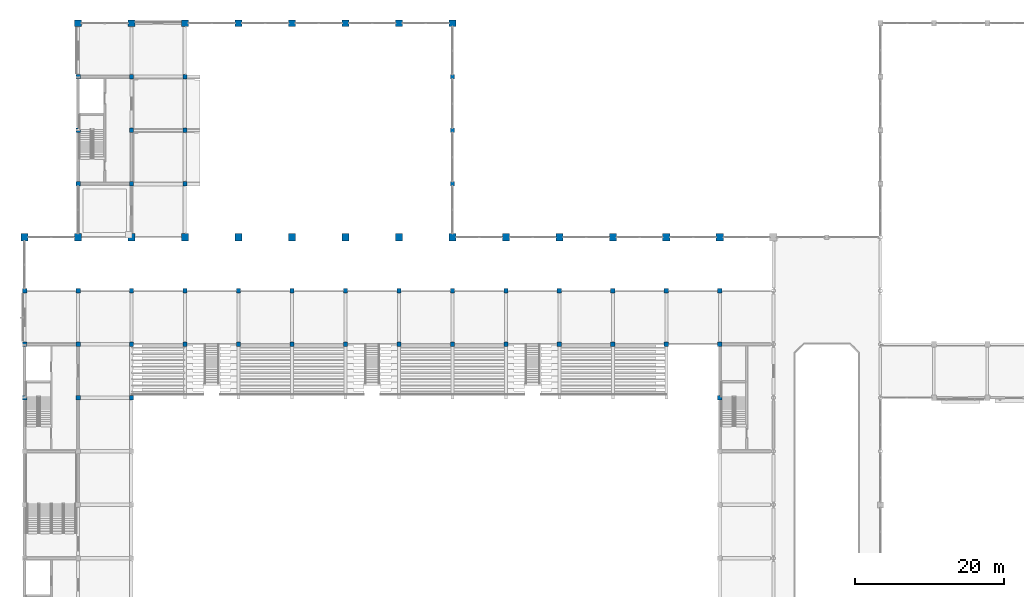
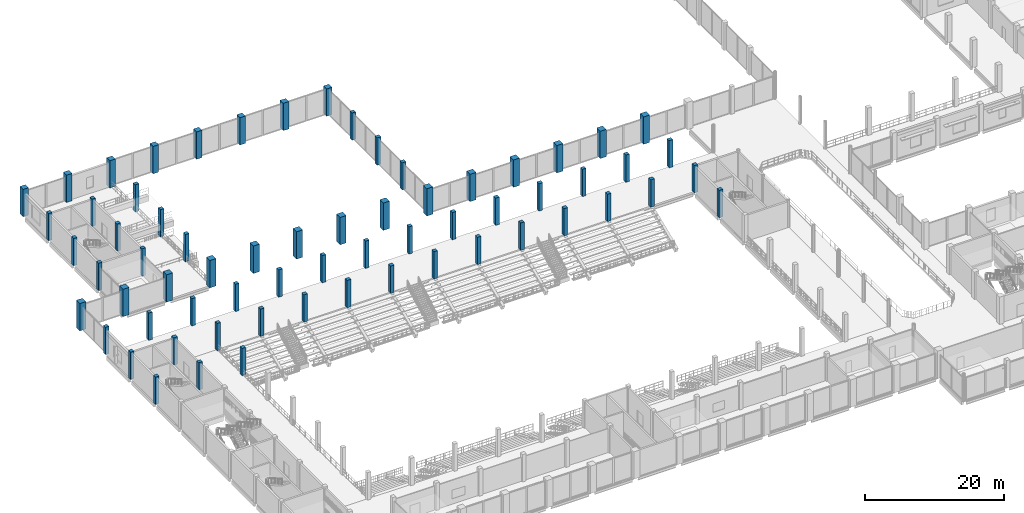
# One storey, part 3 of 99: 66 columns.
"""IFC4 building model written with IfcOpenShell, lengths in metres."""

from ifc_helpers import new_model, si_unit, direction, frame, origin, origin_2d, place, context, subcontext, project, spatial, rectangle, extrude, material, material_profile, profile_set, type_object, element, save


model = new_model("IFC4")

# Units and contexts
model_context = context("Model", 3, precision=1e-05, world=origin(), true_north=direction((0.0, 1.0)))
body_context = subcontext(model_context, "Body", "Model", "MODEL_VIEW")
ifc_project = project(units=[si_unit("LENGTHUNIT", "METRE"), si_unit("AREAUNIT", "SQUARE_METRE"), si_unit("VOLUMEUNIT", "CUBIC_METRE"), si_unit("PLANEANGLEUNIT", "RADIAN"), si_unit("MASSUNIT", "GRAM", prefix="KILO")], contexts=[model_context])

# Site, building, storey
site_placement = place(None, origin())
site = spatial("IfcSite", under=ifc_project, at=site_placement, CompositionType="ELEMENT")
building_placement = place(site_placement, origin())
building = spatial("IfcBuilding", under=site, at=building_placement, Name="Vesperath Aquatics Centre", CompositionType="ELEMENT")
storey_placement = place(building_placement, frame((0.0, 0.0, 5.39990234375)))
storey = spatial("IfcBuildingStorey", under=building, at=storey_placement, Name="L01", CompositionType="ELEMENT", Elevation=5.39990234375)

# Columns
ifc_material = material(Name="Concrete C40", Category="concrete")
ifc_material_profile_1 = material_profile(ifc_material, rectangle(XDim=1.0, YDim=1.0, at=origin_2d()), Name="RC 1000x1000")
ifc_profile_set_1 = profile_set([ifc_material_profile_1], Name="Concrete C40")
column_type_1 = type_object("IfcColumnType", Name="CL-C02", PredefinedType="COLUMN", material=ifc_profile_set_1)
for number, where, z_axis, x_axis, name in (
    (1, (0.0, 86.39990234375, 0.0), (0.0, 0.0, 1.0), (1.0, 0.0, 0.0), "Column C02 L01 1/N"),
    (2, (7.199951171875, 86.39990234375, 0.0), (0.0, 0.0, 1.0), (1.0, 0.0, 0.0), "Column C02 L01 2/N"),
    (3, (14.39990234375, 86.39990234375, 0.0), (0.0, 0.0, 1.0), (1.0, 0.0, 0.0), "Column C02 L01 3/N"),
    (4, (21.60009765625, 86.39990234375, 0.0), (0.0, 0.0, 1.0), (1.0, 0.0, 0.0), "Column C02 L01 4/N"),
    (5, (28.800048828125, 86.39990234375, 0.0), (0.0, 0.0, 1.0), (1.0, 0.0, 0.0), "Column C02 L01 5/N"),
    (6, (36.0, 86.39990234375, 0.0), (0.0, 0.0, 1.0), (1.0, 0.0, 0.0), "Column C02 L01 6/N"),
    (7, (43.199951171875, 86.39990234375, 0.0), (0.0, 0.0, 1.0), (1.0, 0.0, 0.0), "Column C02 L01 7/N"),
    (8, (50.39990234375, 86.39990234375, 0.0), (0.0, 0.0, 1.0), (1.0, 0.0, 0.0), "Column C02 L01 8/N"),
    (9, (57.60009765625, 86.39990234375, 0.0), (0.0, 0.0, 1.0), (1.0, 0.0, 0.0), "Column C02 L01 9/N"),
    (10, (64.800048828125, 86.39990234375, 0.0), (0.0, 0.0, 1.0), (1.0, 0.0, 0.0), "Column C02 L01 10/N"),
    (11, (72.0, 86.39990234375, 0.0), (0.0, 0.0, 1.0), (1.0, 0.0, 0.0), "Column C02 L01 11/N"),
    (12, (79.199951171875, 86.39990234375, 0.0), (0.0, 0.0, 1.0), (1.0, 0.0, 0.0), "Column C02 L01 12/N"),
    (13, (86.39990234375, 86.39990234375, 0.0), (0.0, 0.0, 1.0), (1.0, 0.0, 0.0), "Column C02 L01 13/N"),
    (14, (93.60009765625, 86.39990234375, 0.0), (0.0, 0.0, 1.0), (1.0, 0.0, 0.0), "Column C02 L01 14/N"),
):
    element("IfcColumn", number, at=place(storey_placement, frame(where, z_axis=z_axis, x_axis=x_axis)), inside=storey, type_object=column_type_1, Name=name, PredefinedType="COLUMN", context=body_context, shape_type="SweptSolid", body=[
        extrude(rectangle(XDim=1.0, YDim=1.0, at=origin_2d()), origin(), (0.0, 0.0, 1.0), 4.800048828125),
    ])
ifc_material_profile_2 = material_profile(ifc_material, rectangle(XDim=0.89990234375, YDim=0.89990234375, at=origin_2d()), Name="RC 900x900")
ifc_profile_set_2 = profile_set([ifc_material_profile_2], Name="Concrete C40")
column_type_2 = type_object("IfcColumnType", Name="CL-C03", PredefinedType="COLUMN", material=ifc_profile_set_2)
for number, where, z_axis, x_axis, name in (
    (15, (7.199951171875, 115.199951171875, 0.0), (0.0, 0.0, 1.0), (1.0, 0.0, 0.0), "Column C03 L01 2/S"),
    (16, (14.39990234375, 115.199951171875, 0.0), (0.0, 0.0, 1.0), (1.0, 0.0, 0.0), "Column C03 L01 3/S"),
    (17, (21.60009765625, 115.199951171875, 0.0), (0.0, 0.0, 1.0), (1.0, 0.0, 0.0), "Column C03 L01 4/S"),
    (18, (28.800048828125, 115.199951171875, 0.0), (0.0, 0.0, 1.0), (1.0, 0.0, 0.0), "Column C03 L01 5/S"),
    (19, (36.0, 115.199951171875, 0.0), (0.0, 0.0, 1.0), (1.0, 0.0, 0.0), "Column C03 L01 6/S"),
    (20, (43.199951171875, 115.199951171875, 0.0), (0.0, 0.0, 1.0), (1.0, 0.0, 0.0), "Column C03 L01 7/S"),
    (21, (50.39990234375, 115.199951171875, 0.0), (0.0, 0.0, 1.0), (1.0, 0.0, 0.0), "Column C03 L01 8/S"),
    (22, (57.60009765625, 115.199951171875, 0.0), (0.0, 0.0, 1.0), (1.0, 0.0, 0.0), "Column C03 L01 9/S"),
):
    element("IfcColumn", number, at=place(storey_placement, frame(where, z_axis=z_axis, x_axis=x_axis)), inside=storey, type_object=column_type_2, Name=name, PredefinedType="COLUMN", context=body_context, shape_type="SweptSolid", body=[
        extrude(rectangle(XDim=0.89990234375, YDim=0.89990234375, at=origin_2d()), origin(), (0.0, 0.0, 1.0), 4.800048828125),
    ])
ifc_material_profile_3 = material_profile(ifc_material, rectangle(XDim=0.60009765625, YDim=0.60009765625, at=origin_2d()), Name="RC 600x600")
ifc_profile_set_3 = profile_set([ifc_material_profile_3], Name="Concrete C40")
column_type_3 = type_object("IfcColumnType", Name="CL-C06", PredefinedType="COLUMN", material=ifc_profile_set_3)
for number, where, z_axis, x_axis, name in (
    (23, (0.0, 64.800048828125, 0.0), (0.0, 0.0, 1.0), (1.0, 0.0, 0.0), "Column C06 L01 1/K"),
    (24, (0.0, 72.0, 0.0), (0.0, 0.0, 1.0), (1.0, 0.0, 0.0), "Column C06 L01 1/L"),
    (25, (0.0, 79.199951171875, 0.0), (0.0, 0.0, 1.0), (1.0, 0.0, 0.0), "Column C06 L01 1/M"),
    (26, (7.199951171875, 64.800048828125, 0.0), (0.0, 0.0, 1.0), (1.0, 0.0, 0.0), "Column C06 L01 2/K"),
    (27, (7.199951171875, 72.0, 0.0), (0.0, 0.0, 1.0), (1.0, 0.0, 0.0), "Column C06 L01 2/L"),
    (28, (7.199951171875, 79.199951171875, 0.0), (0.0, 0.0, 1.0), (1.0, 0.0, 0.0), "Column C06 L01 2/M"),
    (29, (7.199951171875, 93.60009765625, 0.0), (0.0, 0.0, 1.0), (1.0, 0.0, 0.0), "Column C06 L01 2/P"),
    (30, (7.199951171875, 100.800048828125, 0.0), (0.0, 0.0, 1.0), (1.0, 0.0, 0.0), "Column C06 L01 2/Q"),
    (31, (7.199951171875, 108.0, 0.0), (0.0, 0.0, 1.0), (1.0, 0.0, 0.0), "Column C06 L01 2/R"),
    (32, (14.39990234375, 64.800048828125, 0.0), (0.0, 0.0, 1.0), (1.0, 0.0, 0.0), "Column C06 L01 3/K"),
    (33, (14.39990234375, 72.0, 0.0), (0.0, 0.0, 1.0), (1.0, 0.0, 0.0), "Column C06 L01 3/L"),
    (34, (14.39990234375, 79.199951171875, 0.0), (0.0, 0.0, 1.0), (1.0, 0.0, 0.0), "Column C06 L01 3/M"),
    (35, (14.39990234375, 93.60009765625, 0.0), (0.0, 0.0, 1.0), (1.0, 0.0, 0.0), "Column C06 L01 3/P"),
    (36, (14.39990234375, 100.800048828125, 0.0), (0.0, 0.0, 1.0), (1.0, 0.0, 0.0), "Column C06 L01 3/Q"),
    (37, (14.39990234375, 108.0, 0.0), (0.0, 0.0, 1.0), (1.0, 0.0, 0.0), "Column C06 L01 3/R"),
    (38, (21.60009765625, 72.0, 0.0), (0.0, 0.0, 1.0), (1.0, 0.0, 0.0), "Column C06 L01 4/L"),
    (39, (21.60009765625, 79.199951171875, 0.0), (0.0, 0.0, 1.0), (1.0, 0.0, 0.0), "Column C06 L01 4/M"),
    (40, (21.60009765625, 93.60009765625, 0.0), (0.0, 0.0, 1.0), (1.0, 0.0, 0.0), "Column C06 L01 4/P"),
    (41, (21.60009765625, 100.800048828125, 0.0), (0.0, 0.0, 1.0), (1.0, 0.0, 0.0), "Column C06 L01 4/Q"),
    (42, (21.60009765625, 108.0, 0.0), (0.0, 0.0, 1.0), (1.0, 0.0, 0.0), "Column C06 L01 4/R"),
    (43, (28.800048828125, 72.0, 0.0), (0.0, 0.0, 1.0), (1.0, 0.0, 0.0), "Column C06 L01 5/L"),
    (44, (28.800048828125, 79.199951171875, 0.0), (0.0, 0.0, 1.0), (1.0, 0.0, 0.0), "Column C06 L01 5/M"),
    (45, (36.0, 72.0, 0.0), (0.0, 0.0, 1.0), (1.0, 0.0, 0.0), "Column C06 L01 6/L"),
    (46, (36.0, 79.199951171875, 0.0), (0.0, 0.0, 1.0), (1.0, 0.0, 0.0), "Column C06 L01 6/M"),
    (47, (43.199951171875, 72.0, 0.0), (0.0, 0.0, 1.0), (1.0, 0.0, 0.0), "Column C06 L01 7/L"),
    (48, (43.199951171875, 79.199951171875, 0.0), (0.0, 0.0, 1.0), (1.0, 0.0, 0.0), "Column C06 L01 7/M"),
    (49, (50.39990234375, 72.0, 0.0), (0.0, 0.0, 1.0), (1.0, 0.0, 0.0), "Column C06 L01 8/L"),
    (50, (50.39990234375, 79.199951171875, 0.0), (0.0, 0.0, 1.0), (1.0, 0.0, 0.0), "Column C06 L01 8/M"),
    (51, (57.60009765625, 72.0, 0.0), (0.0, 0.0, 1.0), (1.0, 0.0, 0.0), "Column C06 L01 9/L"),
    (52, (57.60009765625, 79.199951171875, 0.0), (0.0, 0.0, 1.0), (1.0, 0.0, 0.0), "Column C06 L01 9/M"),
    (53, (57.60009765625, 93.60009765625, 0.0), (0.0, 0.0, 1.0), (1.0, 0.0, 0.0), "Column C06 L01 9/P"),
    (54, (57.60009765625, 100.800048828125, 0.0), (0.0, 0.0, 1.0), (1.0, 0.0, 0.0), "Column C06 L01 9/Q"),
    (55, (57.60009765625, 108.0, 0.0), (0.0, 0.0, 1.0), (1.0, 0.0, 0.0), "Column C06 L01 9/R"),
    (56, (64.800048828125, 72.0, 0.0), (0.0, 0.0, 1.0), (1.0, 0.0, 0.0), "Column C06 L01 10/L"),
    (57, (64.800048828125, 79.199951171875, 0.0), (0.0, 0.0, 1.0), (1.0, 0.0, 0.0), "Column C06 L01 10/M"),
    (58, (72.0, 72.0, 0.0), (0.0, 0.0, 1.0), (1.0, 0.0, 0.0), "Column C06 L01 11/L"),
    (59, (72.0, 79.199951171875, 0.0), (0.0, 0.0, 1.0), (1.0, 0.0, 0.0), "Column C06 L01 11/M"),
    (60, (79.199951171875, 72.0, 0.0), (0.0, 0.0, 1.0), (1.0, 0.0, 0.0), "Column C06 L01 12/L"),
    (61, (79.199951171875, 79.199951171875, 0.0), (0.0, 0.0, 1.0), (1.0, 0.0, 0.0), "Column C06 L01 12/M"),
    (62, (86.39990234375, 72.0, 0.0), (0.0, 0.0, 1.0), (1.0, 0.0, 0.0), "Column C06 L01 13/L"),
    (63, (86.39990234375, 79.199951171875, 0.0), (0.0, 0.0, 1.0), (1.0, 0.0, 0.0), "Column C06 L01 13/M"),
    (64, (93.60009765625, 64.800048828125, 0.0), (0.0, 0.0, 1.0), (1.0, 0.0, 0.0), "Column C06 L01 14/K"),
    (65, (93.60009765625, 72.0, 0.0), (0.0, 0.0, 1.0), (1.0, 0.0, 0.0), "Column C06 L01 14/L"),
    (66, (93.60009765625, 79.199951171875, 0.0), (0.0, 0.0, 1.0), (1.0, 0.0, 0.0), "Column C06 L01 14/M"),
):
    element("IfcColumn", number, at=place(storey_placement, frame(where, z_axis=z_axis, x_axis=x_axis)), inside=storey, type_object=column_type_3, Name=name, PredefinedType="COLUMN", context=body_context, shape_type="SweptSolid", body=[
        extrude(rectangle(XDim=0.60009765625, YDim=0.60009765625, at=origin_2d()), origin(), (0.0, 0.0, 1.0), 4.800048828125),
    ])

save(model, "model.ifc")
